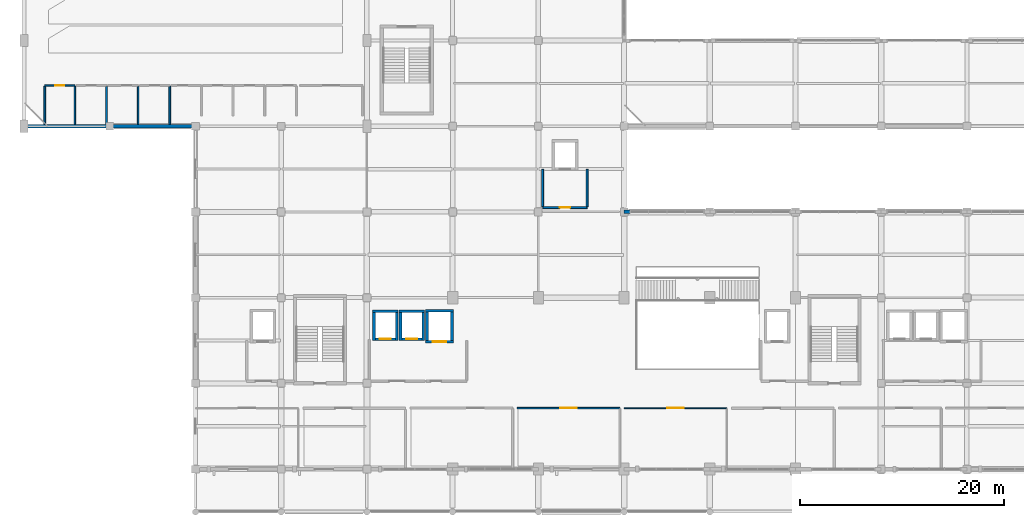
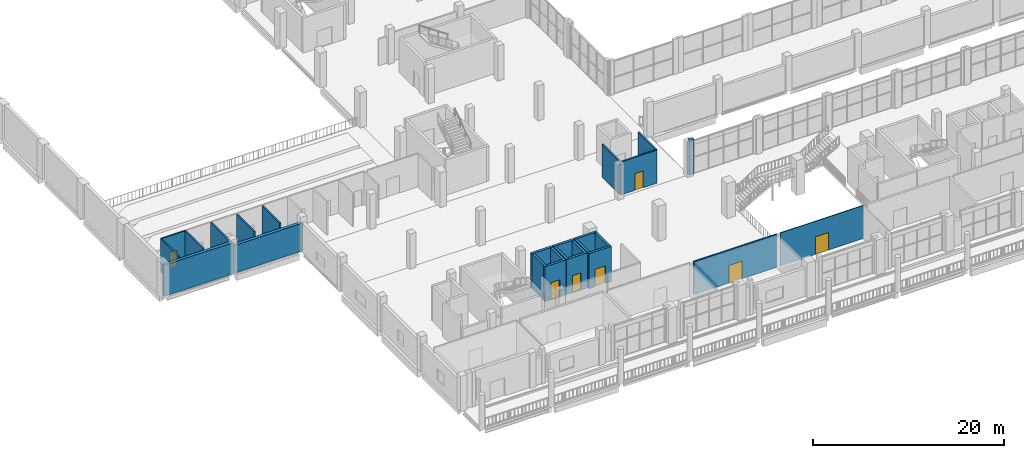
# One storey, part 57 of 75: 26 walls, 7 doors, 7 openings.
"""IFC4 building model written with IfcOpenShell, lengths in metres."""

from ifc_helpers import new_model, si_unit, derived_unit, direction, frame, frame_2d, origin, place, context, subcontext, project, spatial, rectangle, extrude, material, layer, layer_set, type_object, element, fill, save


model = new_model("IFC4")

# Units and contexts
model_context = context("Model", 3, precision=1e-05, world=origin(), true_north=direction((0.0, 1.0)))
body_context = subcontext(model_context, "Body", "Model", "MODEL_VIEW")
ifc_project = project(units=[si_unit("LENGTHUNIT", "METRE"), si_unit("AREAUNIT", "SQUARE_METRE"), si_unit("VOLUMEUNIT", "CUBIC_METRE"), si_unit("PLANEANGLEUNIT", "RADIAN"), si_unit("MASSUNIT", "GRAM", prefix="KILO"), derived_unit("THERMALTRANSMITTANCEUNIT", [(si_unit("POWERUNIT", "WATT"), 1), (si_unit("LENGTHUNIT", "METRE"), -2), (si_unit("THERMODYNAMICTEMPERATUREUNIT", "KELVIN"), -1)])], contexts=[model_context])

# Site, building, storey
site_placement = place(None, origin())
site = spatial("IfcSite", under=ifc_project, at=site_placement, CompositionType="ELEMENT")
building_placement = place(site_placement, origin())
building = spatial("IfcBuilding", under=site, at=building_placement, Name="Barrovel Congress Hotel", CompositionType="ELEMENT")
storey_placement = place(building_placement, frame((0.0, 0.0, 5.39990234375)))
storey = spatial("IfcBuildingStorey", under=building, at=storey_placement, Name="L01", CompositionType="ELEMENT", Elevation=5.39990234375)

# Walls
ifc_material_1 = material(Name="Fired Clay Brick Masonry", Category="masonry")
ifc_layer_1 = layer(ifc_material_1, 0.340087890625)
ifc_layer_set_1 = layer_set([ifc_layer_1], Name="Fired Clay Brick Masonry")
wall_type_1 = type_object("IfcWallType", Name="EW-BRK340", PredefinedType="STANDARD", material=ifc_layer_set_1)
wall_1_placement = place(storey_placement, frame((59.39990234375, 29.39990234375, 0.0), z_axis=(0.0, 0.0, 1.0), x_axis=(-1.0, 0.0, 0.0)))
element("IfcWall", 1, at=wall_1_placement, inside=storey, type_object=wall_type_1, Name="EW:L01:CSJ-L:7", PredefinedType="STANDARD", context=body_context, shape_type="SweptSolid", body=[
    extrude(rectangle(XDim=0.599853515625, YDim=0.340087890625, at=frame_2d((0.2998046875, 0.0))), origin(), (0.0, 0.0, 1.0), 4.5),
])
ifc_layer_2 = layer(ifc_material_1, 0.3798828125)
ifc_layer_set_2 = layer_set([ifc_layer_2], Name="Fired Clay Brick Masonry")
wall_type_2 = type_object("IfcWallType", Name="EW-BRK380", PredefinedType="STANDARD", material=ifc_layer_set_2)
wall_2_placement = place(storey_placement, frame((0.0, 37.800048828125, 0.0), z_axis=(0.0, 0.0, 1.0), x_axis=(1.0, 0.0, 0.0)))
element("IfcWall", 2, at=wall_2_placement, inside=storey, type_object=wall_type_2, Name="EW:L01:V1S:0", PredefinedType="STANDARD", context=body_context, shape_type="SweptSolid", body=[
    extrude(rectangle(XDim=8.39990234375, YDim=0.3798828125, at=frame_2d((4.199951171875, 0.0))), origin(), (0.0, 0.0, 1.0), 3.9931640625),
])
wall_3_placement = place(storey_placement, frame((8.39990234375, 37.800048828125, 0.0), z_axis=(0.0, 0.0, 1.0), x_axis=(1.0, 0.0, 0.0)))
element("IfcWall", 3, at=wall_3_placement, inside=storey, type_object=wall_type_2, Name="EW:L01:V1S:1", PredefinedType="STANDARD", context=body_context, shape_type="SweptSolid", body=[
    extrude(rectangle(XDim=8.400146484375, YDim=0.3798828125, at=frame_2d((4.2001953125, 0.0))), origin(), (0.0, 0.0, 1.0), 3.55615234375),
])

# Wall, opening, door
ifc_material_2 = material(Name="Gypsum Acoustic Stud", Category="gypsum")
ifc_layer_3 = layer(ifc_material_2, 0.179931640625)
ifc_layer_set_3 = layer_set([ifc_layer_3], Name="Gypsum Acoustic Stud")
wall_type_3 = type_object("IfcWallType", Name="PW-ACU-180", PredefinedType="PARTITIONING", material=ifc_layer_set_3)
wall_4_placement = place(storey_placement, frame((50.820068359375, 29.820068359375, 0.0), z_axis=(0.0, 0.0, 1.0), x_axis=(1.0, 0.0, 0.0)))
wall_4 = element("IfcWall", 4, at=wall_4_placement, inside=storey, type_object=wall_type_3, Name="RW:SP:L01:LL-CL1:S", PredefinedType="PARTITIONING", context=body_context, shape_type="SweptSolid", body=[
    extrude(rectangle(XDim=4.35986328125, YDim=0.179931640625, at=frame_2d((2.179931640625, 0.0))), origin(), (0.0, 0.0, 1.0), 4.235107421875),
])
opening_1_placement = place(wall_4_placement, frame((1.669921875, 0.0, 0.0)))
opening_1 = element("IfcOpeningElement", 5, at=opening_1_placement, cuts=wall_4, Name="Opening ID-ACC", PredefinedType="OPENING", context=body_context, shape_type="SweptSolid", body=[
    extrude(rectangle(XDim=1.02001953125, YDim=2.14990234375, at=frame_2d((0.510009765625, 1.074951171875))), frame((0.0, 0.10009765625, 0.0), z_axis=(0.0, -1.0, 0.0), x_axis=(1.0, 0.0, 0.0)), (0.0, 0.0, 1.0), 0.199951171875),
])
ifc_material_3 = material(Name="Solid Oak Acoustic Timber Door", Category="wood")
door_type_1 = type_object("IfcDoorType", Name="IDR-ID-ACC", OperationType="NOTDEFINED", PredefinedType="DOOR", material=ifc_material_3)
door_1_placement = place(opening_1_placement, origin())
door_1 = element("IfcDoor", 6, at=door_1_placement, inside=storey, type_object=door_type_1, Name="RD:SP:L01:LL-CL1", OperationType="SINGLE_SWING_LEFT", OverallHeight=2.14990234375, OverallWidth=1.02001953125, PredefinedType="DOOR", context=body_context, shape_type="SweptSolid", body=[
    extrude(rectangle(XDim=1.02001953125, YDim=2.14990234375, at=frame_2d((0.510009765625, 1.074951171875))), frame((0.0, 0.02490234375, 0.0), z_axis=(0.0, -1.0, 0.0), x_axis=(1.0, 0.0, 0.0)), (0.0, 0.0, 1.0), 0.050048828125),
])
fill(opening_1, door_1)

# Walls
for number, where, z_axis, x_axis, name in (
    (7, (50.820068359375, 29.909912109375, 0.0), (0.0, 0.0, 1.0), (0.0, 1.0, 0.0), "RW:SP:L01:LL-CL1:W"),
    (8, (55.179931640625, 29.909912109375, 0.0), (0.0, 0.0, 1.0), (0.0, 1.0, 0.0), "RW:SP:L01:LL-CL1:E"),
):
    element("IfcWall", number, at=place(storey_placement, frame(where, z_axis=z_axis, x_axis=x_axis)), inside=storey, type_object=wall_type_3, Name=name, PredefinedType="PARTITIONING", context=body_context, shape_type="SweptSolid", body=[
        extrude(rectangle(XDim=3.670166015625, YDim=0.179931640625, at=frame_2d((1.8349609375, 0.0))), origin(), (0.0, 0.0, 1.0), 4.235107421875),
    ])

# Wall, opening, door
ifc_layer_4 = layer(ifc_material_2, 0.10009765625)
ifc_layer_set_4 = layer_set([ifc_layer_4], Name="Gypsum Acoustic Stud")
wall_type_4 = type_object("IfcWallType", Name="PW-LGT-100", PredefinedType="PARTITIONING", material=ifc_layer_set_4)
wall_5_placement = place(storey_placement, frame((58.820068359375, 10.179931640625, 0.0), z_axis=(0.0, 0.0, 1.0), x_axis=(1.0, 0.0, 0.0)))
wall_5 = element("IfcWall", 9, at=wall_5_placement, inside=storey, type_object=wall_type_4, Name="RW:SP:L01:BM-05:N", PredefinedType="PARTITIONING", context=body_context, shape_type="SweptSolid", body=[
    extrude(rectangle(XDim=10.059814453125, YDim=0.10009765625, at=frame_2d((5.02978515625, 0.0))), origin(), (0.0, 0.0, 1.0), 4.235107421875),
])
opening_2_placement = place(wall_5_placement, frame((4.22998046875, 0.0, 0.0)))
opening_2 = element("IfcOpeningElement", 10, at=opening_2_placement, cuts=wall_5, Name="Opening ID-MTG", PredefinedType="OPENING", context=body_context, shape_type="SweptSolid", body=[
    extrude(rectangle(XDim=1.60009765625, YDim=2.25, at=frame_2d((0.800048828125, 1.125))), frame((0.0, 0.06005859375, 0.0), z_axis=(0.0, -1.0, 0.0), x_axis=(1.0, 0.0, 0.0)), (0.0, 0.0, 1.0), 0.1201171875),
])
door_type_2 = type_object("IfcDoorType", Name="IDR-ID-MTG", OperationType="NOTDEFINED", PredefinedType="DOOR", material=ifc_material_3)
door_2_placement = place(opening_2_placement, origin())
door_2 = element("IfcDoor", 11, at=door_2_placement, inside=storey, type_object=door_type_2, Name="RD:SP:L01:BM-05", OperationType="DOUBLE_DOOR_SINGLE_SWING", OverallHeight=2.25, OverallWidth=1.60009765625, PredefinedType="DOOR", context=body_context, shape_type="SweptSolid", body=[
    extrude(rectangle(XDim=1.60009765625, YDim=2.25, at=frame_2d((0.800048828125, 1.125))), frame((0.0, 0.02490234375, 0.0), z_axis=(0.0, -1.0, 0.0), x_axis=(1.0, 0.0, 0.0)), (0.0, 0.0, 1.0), 0.050048828125),
])
fill(opening_2, door_2)

ifc_layer_5 = layer(ifc_material_2, 0.159912109375)
ifc_layer_set_5 = layer_set([ifc_layer_5], Name="Gypsum Acoustic Stud")
wall_type_5 = type_object("IfcWallType", Name="PW-SIB-160", PredefinedType="PARTITIONING", material=ifc_layer_set_5)
wall_6_placement = place(storey_placement, frame((2.02001953125, 41.780029296875, 0.0), z_axis=(0.0, 0.0, 1.0), x_axis=(1.0, 0.0, 0.0)))
wall_6 = element("IfcWall", 12, at=wall_6_placement, inside=storey, type_object=wall_type_5, Name="RW:SP:L01:SIB-01:N", PredefinedType="PARTITIONING", context=body_context, shape_type="SweptSolid", body=[
    extrude(rectangle(XDim=2.9599609375, YDim=0.159912109375, at=frame_2d((1.47998046875, 0.0))), origin(), (0.0, 0.0, 1.0), 4.235107421875),
])
opening_3_placement = place(wall_6_placement, frame((1.0400390625, 0.0, 0.0)))
opening_3 = element("IfcOpeningElement", 13, at=opening_3_placement, cuts=wall_6, Name="Opening ID-SIB", PredefinedType="OPENING", context=body_context, shape_type="SweptSolid", body=[
    extrude(rectangle(XDim=0.8798828125, YDim=2.050048828125, at=frame_2d((0.43994140625, 1.02490234375))), frame((0.0, 0.08984375, 0.0), z_axis=(0.0, -1.0, 0.0), x_axis=(1.0, 0.0, 0.0)), (0.0, 0.0, 1.0), 0.179931640625),
])
door_type_3 = type_object("IfcDoorType", Name="IDR-ID-SIB", OperationType="NOTDEFINED", PredefinedType="DOOR", material=ifc_material_3)
door_3_placement = place(opening_3_placement, origin())
door_3 = element("IfcDoor", 14, at=door_3_placement, inside=storey, type_object=door_type_3, Name="RD:SP:L01:SIB-01", OperationType="SINGLE_SWING_LEFT", OverallHeight=2.050048828125, OverallWidth=0.8798828125, PredefinedType="DOOR", context=body_context, shape_type="SweptSolid", body=[
    extrude(rectangle(XDim=0.8798828125, YDim=2.050048828125, at=frame_2d((0.43994140625, 1.02490234375))), frame((0.0, 0.02490234375, 0.0), z_axis=(0.0, -1.0, 0.0), x_axis=(1.0, 0.0, 0.0)), (0.0, 0.0, 1.0), 0.050048828125),
])
fill(opening_3, door_3)

# Walls
for number, where, z_axis, x_axis, name in (
    (15, (2.02001953125, 37.989990234375, 0.0), (0.0, 0.0, 1.0), (0.0, 1.0, 0.0), "RW:SP:L01:SIB-01:W"),
    (16, (4.97998046875, 37.989990234375, 0.0), (0.0, 0.0, 1.0), (0.0, 1.0, 0.0), "RW:SP:L01:SIB-01:E"),
    (17, (8.080078125, 37.989990234375, 0.0), (0.0, 0.0, 1.0), (0.0, 1.0, 0.0), "RW:SP:L01:SIB-02:E"),
    (18, (11.179931640625, 37.989990234375, 0.0), (0.0, 0.0, 1.0), (0.0, 1.0, 0.0), "RW:SP:L01:SIB-03:E"),
    (19, (14.280029296875, 37.989990234375, 0.0), (0.0, 0.0, 1.0), (0.0, 1.0, 0.0), "RW:SP:L01:SIB-04:E"),
):
    element("IfcWall", number, at=place(storey_placement, frame(where, z_axis=z_axis, x_axis=x_axis)), inside=storey, type_object=wall_type_5, Name=name, PredefinedType="PARTITIONING", context=body_context, shape_type="SweptSolid", body=[
        extrude(rectangle(XDim=3.7099609375, YDim=0.159912109375, at=frame_2d((1.85498046875, 0.0))), origin(), (0.0, 0.0, 1.0), 4.235107421875),
    ])

# Wall, opening, door
ifc_layer_6 = layer(ifc_material_2, 0.14990234375)
ifc_layer_set_6 = layer_set([ifc_layer_6], Name="Gypsum Acoustic Stud")
wall_type_6 = type_object("IfcWallType", Name="PW-STD-150", PredefinedType="PARTITIONING", material=ifc_layer_set_6)
wall_7_placement = place(storey_placement, frame((48.320068359375, 10.179931640625, 0.0), z_axis=(0.0, 0.0, 1.0), x_axis=(1.0, 0.0, 0.0)))
wall_7 = element("IfcWall", 20, at=wall_7_placement, inside=storey, type_object=wall_type_6, Name="RW:SP:L01:BM-04:N", PredefinedType="PARTITIONING", context=body_context, shape_type="SweptSolid", body=[
    extrude(rectangle(XDim=10.059814453125, YDim=0.14990234375, at=frame_2d((5.02978515625, 0.0))), origin(), (0.0, 0.0, 1.0), 4.235107421875),
])
opening_4_placement = place(wall_7_placement, frame((4.22998046875, 0.0, 0.0)))
opening_4 = element("IfcOpeningElement", 21, at=opening_4_placement, cuts=wall_7, Name="Opening ID-MTG", PredefinedType="OPENING", context=body_context, shape_type="SweptSolid", body=[
    extrude(rectangle(XDim=1.60009765625, YDim=2.25, at=frame_2d((0.800048828125, 1.125))), frame((0.0, 0.0849609375, 0.0), z_axis=(0.0, -1.0, 0.0), x_axis=(1.0, 0.0, 0.0)), (0.0, 0.0, 1.0), 0.169921875),
])
door_4_placement = place(opening_4_placement, origin())
door_4 = element("IfcDoor", 22, at=door_4_placement, inside=storey, type_object=door_type_2, Name="RD:SP:L01:BM-04", OperationType="DOUBLE_DOOR_SINGLE_SWING", OverallHeight=2.25, OverallWidth=1.60009765625, PredefinedType="DOOR", context=body_context, shape_type="SweptSolid", body=[
    extrude(rectangle(XDim=1.60009765625, YDim=2.25, at=frame_2d((0.800048828125, 1.125))), frame((0.0, 0.02490234375, 0.0), z_axis=(0.0, -1.0, 0.0), x_axis=(1.0, 0.0, 0.0)), (0.0, 0.0, 1.0), 0.050048828125),
])
fill(opening_4, door_4)

ifc_material_4 = material(Name="Concrete C40", Category="concrete")
ifc_layer_7 = layer(ifc_material_4, 0.280029296875)
ifc_layer_set_7 = layer_set([ifc_layer_7], Name="Concrete C40")
wall_type_7 = type_object("IfcWallType", Name="SW-C40-280", PredefinedType="SHEAR", material=ifc_layer_set_7)
wall_8_placement = place(storey_placement, frame((34.139892578125, 16.929931640625, 0.0), z_axis=(0.0, 0.0, 1.0), x_axis=(1.0, 0.0, 0.0)))
wall_8 = element("IfcWall", 23, at=wall_8_placement, inside=storey, type_object=wall_type_7, Name="LSH:PL-1:L01:S", PredefinedType="SHEAR", context=body_context, shape_type="SweptSolid", body=[
    extrude(rectangle(XDim=2.52001953125, YDim=0.280029296875, at=frame_2d((1.260009765625, 0.0))), origin(), (0.0, 0.0, 1.0), 4.5),
])
opening_5_placement = place(wall_8_placement, frame((0.735107421875, 0.0, 0.0)))
opening_5 = element("IfcOpeningElement", 24, at=opening_5_placement, cuts=wall_8, Name="Opening LD-PAX", PredefinedType="OPENING", context=body_context, shape_type="SweptSolid", body=[
    extrude(rectangle(XDim=1.050048828125, YDim=2.199951171875, at=frame_2d((0.52490234375, 1.10009765625))), frame((0.0, 0.14990234375, 0.0), z_axis=(0.0, -1.0, 0.0), x_axis=(1.0, 0.0, 0.0)), (0.0, 0.0, 1.0), 0.300048828125),
])
ifc_material_5 = material(Name="Brushed Stainless Steel", Category="steel")
door_type_4 = type_object("IfcDoorType", Name="IDR-LD-PAX", OperationType="NOTDEFINED", PredefinedType="DOOR", material=ifc_material_5)
door_5_placement = place(opening_5_placement, origin())
door_5 = element("IfcDoor", 25, at=door_5_placement, inside=storey, type_object=door_type_4, Name="Lift Landing Door LD-PL-1-L01", OperationType="SLIDING_TO_LEFT", OverallHeight=2.199951171875, OverallWidth=1.050048828125, PredefinedType="DOOR", context=body_context, shape_type="SweptSolid", body=[
    extrude(rectangle(XDim=1.050048828125, YDim=2.199951171875, at=frame_2d((0.52490234375, 1.10009765625))), frame((0.0, 0.02490234375, 0.0), z_axis=(0.0, -1.0, 0.0), x_axis=(1.0, 0.0, 0.0)), (0.0, 0.0, 1.0), 0.050048828125),
])
fill(opening_5, door_5)

# Walls
wall_9_placement = place(storey_placement, frame((36.52001953125, 16.7900390625, 0.0), z_axis=(0.0, 0.0, 1.0), x_axis=(0.0, 1.0, 0.0)))
element("IfcWall", 26, at=wall_9_placement, inside=storey, type_object=wall_type_7, Name="LSH:PL-1:L01:E", PredefinedType="SHEAR", context=body_context, shape_type="SweptSolid", body=[
    extrude(rectangle(XDim=3.02001953125, YDim=0.280029296875, at=frame_2d((1.510009765625, 0.0))), origin(), (0.0, 0.0, 1.0), 4.5),
])
wall_10_placement = place(storey_placement, frame((36.659912109375, 19.669921875, 0.0), z_axis=(0.0, 0.0, 1.0), x_axis=(-1.0, 0.0, 0.0)))
element("IfcWall", 27, at=wall_10_placement, inside=storey, type_object=wall_type_7, Name="LSH:PL-1:L01:N", PredefinedType="SHEAR", context=body_context, shape_type="SweptSolid", body=[
    extrude(rectangle(XDim=2.52001953125, YDim=0.280029296875, at=frame_2d((1.260009765625, 0.0))), origin(), (0.0, 0.0, 1.0), 4.5),
])
wall_11_placement = place(storey_placement, frame((34.280029296875, 19.81005859375, 0.0), z_axis=(0.0, 0.0, 1.0), x_axis=(0.0, -1.0, 0.0)))
element("IfcWall", 28, at=wall_11_placement, inside=storey, type_object=wall_type_7, Name="LSH:PL-1:L01:W", PredefinedType="SHEAR", context=body_context, shape_type="SweptSolid", body=[
    extrude(rectangle(XDim=3.02001953125, YDim=0.280029296875, at=frame_2d((1.510009765625, 0.0))), origin(), (0.0, 0.0, 1.0), 4.5),
])

# Wall, opening, door
wall_12_placement = place(storey_placement, frame((36.739990234375, 16.929931640625, 0.0), z_axis=(0.0, 0.0, 1.0), x_axis=(1.0, 0.0, 0.0)))
wall_12 = element("IfcWall", 29, at=wall_12_placement, inside=storey, type_object=wall_type_7, Name="LSH:PL-2:L01:S", PredefinedType="SHEAR", context=body_context, shape_type="SweptSolid", body=[
    extrude(rectangle(XDim=2.52001953125, YDim=0.280029296875, at=frame_2d((1.260009765625, 0.0))), origin(), (0.0, 0.0, 1.0), 4.5),
])
opening_6_placement = place(wall_12_placement, frame((0.735107421875, 0.0, 0.0)))
opening_6 = element("IfcOpeningElement", 30, at=opening_6_placement, cuts=wall_12, Name="Opening LD-PAX", PredefinedType="OPENING", context=body_context, shape_type="SweptSolid", body=[
    extrude(rectangle(XDim=1.050048828125, YDim=2.199951171875, at=frame_2d((0.52490234375, 1.10009765625))), frame((0.0, 0.14990234375, 0.0), z_axis=(0.0, -1.0, 0.0), x_axis=(1.0, 0.0, 0.0)), (0.0, 0.0, 1.0), 0.300048828125),
])
door_6_placement = place(opening_6_placement, origin())
door_6 = element("IfcDoor", 31, at=door_6_placement, inside=storey, type_object=door_type_4, Name="Lift Landing Door LD-PL-2-L01", OperationType="SLIDING_TO_LEFT", OverallHeight=2.199951171875, OverallWidth=1.050048828125, PredefinedType="DOOR", context=body_context, shape_type="SweptSolid", body=[
    extrude(rectangle(XDim=1.050048828125, YDim=2.199951171875, at=frame_2d((0.52490234375, 1.10009765625))), frame((0.0, 0.02490234375, 0.0), z_axis=(0.0, -1.0, 0.0), x_axis=(1.0, 0.0, 0.0)), (0.0, 0.0, 1.0), 0.050048828125),
])
fill(opening_6, door_6)

# Walls
wall_13_placement = place(storey_placement, frame((39.1201171875, 16.7900390625, 0.0), z_axis=(0.0, 0.0, 1.0), x_axis=(0.0, 1.0, 0.0)))
element("IfcWall", 32, at=wall_13_placement, inside=storey, type_object=wall_type_7, Name="LSH:PL-2:L01:E", PredefinedType="SHEAR", context=body_context, shape_type="SweptSolid", body=[
    extrude(rectangle(XDim=3.02001953125, YDim=0.280029296875, at=frame_2d((1.510009765625, 0.0))), origin(), (0.0, 0.0, 1.0), 4.5),
])
wall_14_placement = place(storey_placement, frame((39.260009765625, 19.669921875, 0.0), z_axis=(0.0, 0.0, 1.0), x_axis=(-1.0, 0.0, 0.0)))
element("IfcWall", 33, at=wall_14_placement, inside=storey, type_object=wall_type_7, Name="LSH:PL-2:L01:N", PredefinedType="SHEAR", context=body_context, shape_type="SweptSolid", body=[
    extrude(rectangle(XDim=2.52001953125, YDim=0.280029296875, at=frame_2d((1.260009765625, 0.0))), origin(), (0.0, 0.0, 1.0), 4.5),
])
wall_15_placement = place(storey_placement, frame((36.8798828125, 19.81005859375, 0.0), z_axis=(0.0, 0.0, 1.0), x_axis=(0.0, -1.0, 0.0)))
element("IfcWall", 34, at=wall_15_placement, inside=storey, type_object=wall_type_7, Name="LSH:PL-2:L01:W", PredefinedType="SHEAR", context=body_context, shape_type="SweptSolid", body=[
    extrude(rectangle(XDim=3.02001953125, YDim=0.280029296875, at=frame_2d((1.510009765625, 0.0))), origin(), (0.0, 0.0, 1.0), 4.5),
])

# Wall, opening, door
wall_16_placement = place(storey_placement, frame((39.340087890625, 16.679931640625, 0.0), z_axis=(0.0, 0.0, 1.0), x_axis=(1.0, 0.0, 0.0)))
wall_16 = element("IfcWall", 35, at=wall_16_placement, inside=storey, type_object=wall_type_7, Name="LSH:SL-1:L01:S", PredefinedType="SHEAR", context=body_context, shape_type="SweptSolid", body=[
    extrude(rectangle(XDim=2.719970703125, YDim=0.280029296875, at=frame_2d((1.35986328125, 0.0))), origin(), (0.0, 0.0, 1.0), 4.5),
])
opening_7_placement = place(wall_16_placement, frame((0.7099609375, 0.0, 0.0)))
opening_7 = element("IfcOpeningElement", 36, at=opening_7_placement, cuts=wall_16, Name="Opening LD-SRV", PredefinedType="OPENING", context=body_context, shape_type="SweptSolid", body=[
    extrude(rectangle(XDim=1.300048828125, YDim=2.25, at=frame_2d((0.64990234375, 1.125))), frame((0.0, 0.14990234375, 0.0), z_axis=(0.0, -1.0, 0.0), x_axis=(1.0, 0.0, 0.0)), (0.0, 0.0, 1.0), 0.300048828125),
])
door_type_5 = type_object("IfcDoorType", Name="IDR-LD-SRV", OperationType="NOTDEFINED", PredefinedType="DOOR", material=ifc_material_5)
door_7_placement = place(opening_7_placement, origin())
door_7 = element("IfcDoor", 37, at=door_7_placement, inside=storey, type_object=door_type_5, Name="Lift Landing Door LD-SL-1-L01", OperationType="SLIDING_TO_LEFT", OverallHeight=2.25, OverallWidth=1.300048828125, PredefinedType="DOOR", context=body_context, shape_type="SweptSolid", body=[
    extrude(rectangle(XDim=1.300048828125, YDim=2.25, at=frame_2d((0.64990234375, 1.125))), frame((0.0, 0.02490234375, 0.0), z_axis=(0.0, -1.0, 0.0), x_axis=(1.0, 0.0, 0.0)), (0.0, 0.0, 1.0), 0.050048828125),
])
fill(opening_7, door_7)

# Walls
wall_17_placement = place(storey_placement, frame((41.919921875, 16.5400390625, 0.0), z_axis=(0.0, 0.0, 1.0), x_axis=(0.0, 1.0, 0.0)))
element("IfcWall", 38, at=wall_17_placement, inside=storey, type_object=wall_type_7, Name="LSH:SL-1:L01:E", PredefinedType="SHEAR", context=body_context, shape_type="SweptSolid", body=[
    extrude(rectangle(XDim=3.320068359375, YDim=0.280029296875, at=frame_2d((1.66015625, 0.0))), origin(), (0.0, 0.0, 1.0), 4.5),
])
wall_18_placement = place(storey_placement, frame((42.06005859375, 19.719970703125, 0.0), z_axis=(0.0, 0.0, 1.0), x_axis=(-1.0, 0.0, 0.0)))
element("IfcWall", 39, at=wall_18_placement, inside=storey, type_object=wall_type_7, Name="LSH:SL-1:L01:N", PredefinedType="SHEAR", context=body_context, shape_type="SweptSolid", body=[
    extrude(rectangle(XDim=2.719970703125, YDim=0.280029296875, at=frame_2d((1.35986328125, 0.0))), origin(), (0.0, 0.0, 1.0), 4.5),
])
wall_19_placement = place(storey_placement, frame((39.47998046875, 19.860107421875, 0.0), z_axis=(0.0, 0.0, 1.0), x_axis=(0.0, -1.0, 0.0)))
element("IfcWall", 40, at=wall_19_placement, inside=storey, type_object=wall_type_7, Name="LSH:SL-1:L01:W", PredefinedType="SHEAR", context=body_context, shape_type="SweptSolid", body=[
    extrude(rectangle(XDim=3.320068359375, YDim=0.280029296875, at=frame_2d((1.66015625, 0.0))), origin(), (0.0, 0.0, 1.0), 4.5),
])

save(model, "model.ifc")
